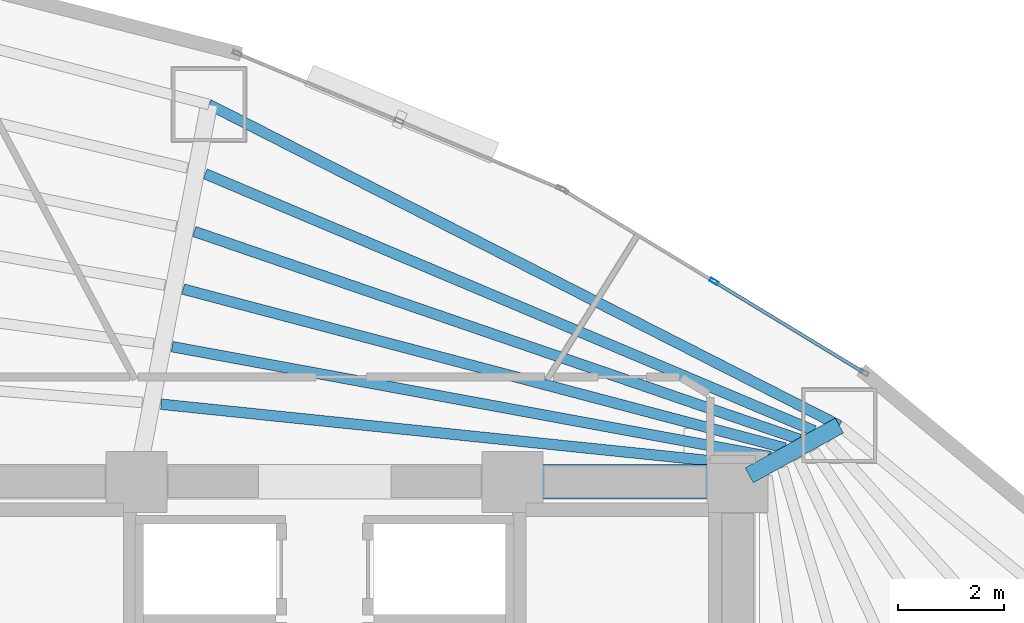
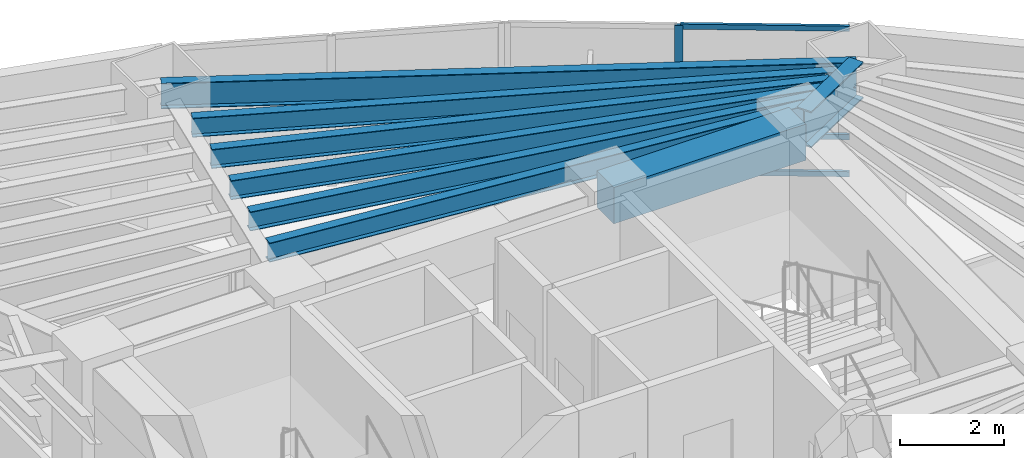
# One storey, part 10 of 18: 8 beams, 4 members, 1 element without a shape of its own.
"""IFC4 building model written with IfcOpenShell, lengths in metres."""

from ifc_helpers import new_model, si_unit, direction, frame, origin, origin_2d, place, context, subcontext, project, spatial, rectangle, hollow_rectangle, i_section, extrude, material, layer, layer_set, material_profile, profile_set, type_object, element, aggregate, save


model = new_model("IFC4")

# Units and contexts
model_context = context("Model", 3, precision=1e-05, world=origin(), true_north=direction((0.0, 1.0)))
body_context = subcontext(model_context, "Body", "Model", "MODEL_VIEW")
ifc_project = project(units=[si_unit("LENGTHUNIT", "METRE"), si_unit("AREAUNIT", "SQUARE_METRE"), si_unit("VOLUMEUNIT", "CUBIC_METRE"), si_unit("PLANEANGLEUNIT", "RADIAN"), si_unit("MASSUNIT", "GRAM", prefix="KILO")], contexts=[model_context])

# Site, building, storey
site_placement = place(None, origin())
site = spatial("IfcSite", under=ifc_project, at=site_placement, CompositionType="ELEMENT")
building_placement = place(site_placement, origin())
building = spatial("IfcBuilding", under=site, at=building_placement, Name="Menara Vayukalpa", CompositionType="ELEMENT")
storey_placement = place(building_placement, frame((0.0, 0.0, 35.0400390625)))
storey = spatial("IfcBuildingStorey", under=building, at=storey_placement, Name="L07", CompositionType="ELEMENT", Elevation=35.0400390625)

# Beams
ifc_material_1 = material(Name="Concrete C60/75", Category="concrete")
ifc_material_profile_1 = material_profile(ifc_material_1, rectangle(XDim=0.64990234375, YDim=0.85009765625, at=origin_2d()), Name="RC 650x850")
ifc_profile_set_1 = profile_set([ifc_material_profile_1], Name="Concrete C60/75")
beam_type_1 = type_object("IfcBeamType", Name="BM-CB1", PredefinedType="BEAM", material=ifc_profile_set_1)
beam_1_placement = place(storey_placement, frame((29.14990234375, 26.800048828125, 3.044921875), z_axis=(1.0, 0.0, 0.0), x_axis=(0.0, 1.0, 0.0)))
element("IfcBeam", 1, at=beam_1_placement, inside=storey, type_object=beam_type_1, Name="L07 Core Tie Beam CBR6", PredefinedType="BEAM", context=body_context, shape_type="SweptSolid", body=[
    extrude(rectangle(XDim=0.64990234375, YDim=0.85009765625, at=origin_2d()), origin(), (0.0, 0.0, 1.0), 4.25),
])
ifc_material_2 = material(Name="Steel S355", Category="steel")
ifc_material_profile_2 = material_profile(ifc_material_2, i_section(OverallWidth=0.320068359375, OverallDepth=0.85009765625, WebThickness=0.01611328125, FlangeThickness=0.030029296875, at=origin_2d()), Name="WF 850x320x16x30")
ifc_profile_set_2 = profile_set([ifc_material_profile_2], Name="Steel S355")
beam_type_2 = type_object("IfcBeamType", Name="BM-PG2", PredefinedType="BEAM", material=ifc_profile_set_2)
beam_2_placement = place(storey_placement, frame((33.61865234375, 26.921142578125, 3.044921875), z_axis=(0.87459548214, 0.484853320727, 0.0), x_axis=(-0.484853320727, 0.87459548214, 0.0)))
element("IfcBeam", 2, at=beam_2_placement, inside=storey, type_object=beam_type_2, Name="L07 Primary Radial Girder RG02", PredefinedType="BEAM", context=body_context, shape_type="SweptSolid", body=[
    extrude(i_section(OverallWidth=0.320068359375, OverallDepth=0.85009765625, WebThickness=0.01611328125, FlangeThickness=0.030029296875, at=origin_2d()), origin(), (0.0, 0.0, 1.0), 1.943115234375),
])
ifc_material_3 = material(Name="Steel S355", Category="steel")
ifc_material_profile_3 = material_profile(ifc_material_3, i_section(OverallWidth=0.199951171875, OverallDepth=0.449951171875, WebThickness=0.009033203125, FlangeThickness=0.013916015625, at=origin_2d()), Name="WF 450x200x9x14")
ifc_profile_set_3 = profile_set([ifc_material_profile_3], Name="Steel S355")
beam_type_3 = type_object("IfcBeamType", Name="BM-SJ1", PredefinedType="JOIST", material=ifc_profile_set_3)
beam_3_placement = place(storey_placement, frame((33.74560546875, 27.109130859375, 3.244873046875), z_axis=(-0.994746828953, 0.102365747631, 0.0), x_axis=(-0.102365747631, -0.994746828953, 0.0)))
element("IfcBeam", 3, at=beam_3_placement, inside=storey, type_object=beam_type_3, Name="L07 Secondary Floor Joist SJ02-1", PredefinedType="JOIST", context=body_context, shape_type="SweptSolid", body=[
    extrude(i_section(OverallWidth=0.199951171875, OverallDepth=0.449951171875, WebThickness=0.009033203125, FlangeThickness=0.013916015625, at=origin_2d()), origin(), (0.0, 0.0, 1.0), 11.29052734375),
])
beam_4_placement = place(storey_placement, frame((34.019287109375, 27.27392578125, 3.244873046875), z_axis=(-0.983504975359, 0.180881075419, 0.0), x_axis=(-0.180881075419, -0.983504975359, 0.0)))
element("IfcBeam", 4, at=beam_4_placement, inside=storey, type_object=beam_type_3, Name="L07 Secondary Floor Joist SJ02-2", PredefinedType="JOIST", context=body_context, shape_type="SweptSolid", body=[
    extrude(i_section(OverallWidth=0.199951171875, OverallDepth=0.449951171875, WebThickness=0.009033203125, FlangeThickness=0.013916015625, at=origin_2d()), origin(), (0.0, 0.0, 1.0), 11.48486328125),
])
beam_5_placement = place(storey_placement, frame((34.294189453125, 27.438232421875, 3.244873046875), z_axis=(-0.966863757537, 0.255292918746, 0.0), x_axis=(-0.255292918746, -0.966863757537, 0.0)))
element("IfcBeam", 5, at=beam_5_placement, inside=storey, type_object=beam_type_3, Name="L07 Secondary Floor Joist SJ02-3", PredefinedType="JOIST", context=body_context, shape_type="SweptSolid", body=[
    extrude(i_section(OverallWidth=0.199951171875, OverallDepth=0.449951171875, WebThickness=0.009033203125, FlangeThickness=0.013916015625, at=origin_2d()), origin(), (0.0, 0.0, 1.0), 11.751220703125),
])
beam_6_placement = place(storey_placement, frame((34.570068359375, 27.601318359375, 3.244873046875), z_axis=(-0.945794261669, 0.324766400038, 0.0), x_axis=(-0.324766400038, -0.945794261669, 0.0)))
element("IfcBeam", 6, at=beam_6_placement, inside=storey, type_object=beam_type_3, Name="L07 Secondary Floor Joist SJ02-4", PredefinedType="JOIST", context=body_context, shape_type="SweptSolid", body=[
    extrude(i_section(OverallWidth=0.199951171875, OverallDepth=0.449951171875, WebThickness=0.009033203125, FlangeThickness=0.013916015625, at=origin_2d()), origin(), (0.0, 0.0, 1.0), 12.0849609375),
])
beam_7_placement = place(storey_placement, frame((34.84619140625, 27.763671875, 3.244873046875), z_axis=(-0.921359344435, 0.38871192215, 0.0), x_axis=(-0.38871192215, -0.921359344435, 0.0)))
element("IfcBeam", 7, at=beam_7_placement, inside=storey, type_object=beam_type_3, Name="L07 Secondary Floor Joist SJ02-5", PredefinedType="JOIST", context=body_context, shape_type="SweptSolid", body=[
    extrude(i_section(OverallWidth=0.199951171875, OverallDepth=0.449951171875, WebThickness=0.009033203125, FlangeThickness=0.013916015625, at=origin_2d()), origin(), (0.0, 0.0, 1.0), 12.48046875),
])
ifc_material_4 = material(Name="Steel S355", Category="steel")
ifc_material_profile_4 = material_profile(ifc_material_4, i_section(OverallWidth=0.199951171875, OverallDepth=0.60009765625, WebThickness=0.010986328125, FlangeThickness=0.01708984375, at=origin_2d()), Name="WF 600x200x11x17")
ifc_profile_set_4 = profile_set([ifc_material_profile_4], Name="Steel S355")
beam_type_4 = type_object("IfcBeamType", Name="BM-SP1", PredefinedType="SPANDREL", material=ifc_profile_set_4)
beam_8_placement = place(storey_placement, frame((35.318115234375, 27.86328125, 3.169921875), z_axis=(-0.891100743313, 0.453805536841, 0.0), x_axis=(-0.453805536841, -0.891100743313, 0.0)))
element("IfcBeam", 8, at=beam_8_placement, inside=storey, type_object=beam_type_4, Name="L07 Perimeter Spandrel Beam SP02", PredefinedType="SPANDREL", context=body_context, shape_type="SweptSolid", body=[
    extrude(i_section(OverallWidth=0.199951171875, OverallDepth=0.60009765625, WebThickness=0.010986328125, FlangeThickness=0.01708984375, at=origin_2d()), origin(), (0.0, 0.0, 1.0), 13.352783203125),
])

# Curtain wall, members
ifc_material_5 = material(Name="Anodised Terracotta Aluminium Alloy 6063-T6", Category="masonry")
ifc_layer = layer(ifc_material_5, 0.1650390625)
ifc_layer_set = layer_set([ifc_layer], Name="Anodised Terracotta Aluminium Alloy 6063-T6")
curtain_wall_type = type_object("IfcCurtainWallType", Name="CW-CW2", PredefinedType="USERDEFINED", material=ifc_layer_set)
curtain_wall_placement = place(storey_placement, origin())
curtain_wall = element("IfcCurtainWall", 9, at=curtain_wall_placement, inside=storey, type_object=curtain_wall_type, Name="L07 Low Rise Terracotta Ribbon Curtain Wall CW2 04", ObjectType="UNITISED", PredefinedType="USERDEFINED")
ifc_material_6 = material(Name="Anodised Terracotta Aluminium Alloy 6063-T6", Category="masonry")
ifc_material_profile_5 = material_profile(ifc_material_6, hollow_rectangle(XDim=0.070068359375, YDim=0.1650390625, WallThickness=0.00390625, at=origin_2d()), Name="ALU 70x165x4")
ifc_profile_set_5 = profile_set([ifc_material_profile_5], Name="Anodised Terracotta Aluminium Alloy 6063-T6")
member_type_1 = type_object("IfcMemberType", Name="CWM-CW2", PredefinedType="MULLION", material=ifc_profile_set_5)
member_1_placement = place(storey_placement, frame((32.9560546875, 30.581298828125, 0.0), z_axis=(0.0, 0.0, 1.0), x_axis=(-0.519181964377, -0.854663727945, 0.0)))
member_1 = element("IfcMember", 10, at=member_1_placement, type_object=member_type_1, Name="CW2 mullion 2", PredefinedType="MULLION", context=body_context, shape_type="SweptSolid", body=[
    extrude(hollow_rectangle(XDim=0.070068359375, YDim=0.1650390625, WallThickness=0.00390625, at=origin_2d()), origin(), (0.0, 0.0, 1.0), 3.469970703125),
])
ifc_material_7 = material(Name="Anodised Terracotta Aluminium Alloy 6063-T6", Category="masonry")
ifc_material_profile_6 = material_profile(ifc_material_7, hollow_rectangle(XDim=0.06494140625, YDim=0.1201171875, WallThickness=0.00341796875, at=origin_2d()), Name="ALU 65x120x3.5")
ifc_profile_set_6 = profile_set([ifc_material_profile_6], Name="Anodised Terracotta Aluminium Alloy 6063-T6")
member_type_2 = type_object("IfcMemberType", Name="CWT-CW2", PredefinedType="USERDEFINED", material=ifc_profile_set_6)
member_2_placement = place(storey_placement, frame((35.75732421875, 28.879638671875, 0.032470703125), z_axis=(-0.854643142641, 0.519215849851, 0.0), x_axis=(-0.519215849851, -0.854643142641, 0.0)))
member_2 = element("IfcMember", 11, at=member_2_placement, type_object=member_type_2, Name="CW2 transom 1.1", ObjectType="TRANSOM", PredefinedType="USERDEFINED", context=body_context, shape_type="SweptSolid", body=[
    extrude(hollow_rectangle(XDim=0.06494140625, YDim=0.1201171875, WallThickness=0.00341796875, at=origin_2d()), origin(), (0.0, 0.0, 1.0), 3.24267578125),
])
member_3_placement = place(storey_placement, frame((35.75732421875, 28.879638671875, 0.89990234375), z_axis=(-0.854643142641, 0.519215849851, 0.0), x_axis=(-0.519215849851, -0.854643142641, 0.0)))
member_3 = element("IfcMember", 12, at=member_3_placement, type_object=member_type_2, Name="CW2 transom 1.2", ObjectType="TRANSOM", PredefinedType="USERDEFINED", context=body_context, shape_type="SweptSolid", body=[
    extrude(hollow_rectangle(XDim=0.06494140625, YDim=0.1201171875, WallThickness=0.00341796875, at=origin_2d()), origin(), (0.0, 0.0, 1.0), 3.24267578125),
])
member_4_placement = place(storey_placement, frame((35.75732421875, 28.879638671875, 3.4375), z_axis=(-0.854643142641, 0.519215849851, 0.0), x_axis=(-0.519215849851, -0.854643142641, 0.0)))
member_4 = element("IfcMember", 13, at=member_4_placement, type_object=member_type_2, Name="CW2 transom 1.3", ObjectType="TRANSOM", PredefinedType="USERDEFINED", context=body_context, shape_type="SweptSolid", body=[
    extrude(hollow_rectangle(XDim=0.06494140625, YDim=0.1201171875, WallThickness=0.00341796875, at=origin_2d()), origin(), (0.0, 0.0, 1.0), 3.24267578125),
])
aggregate(curtain_wall, [member_1, member_2, member_3, member_4])

save(model, "model.ifc")
